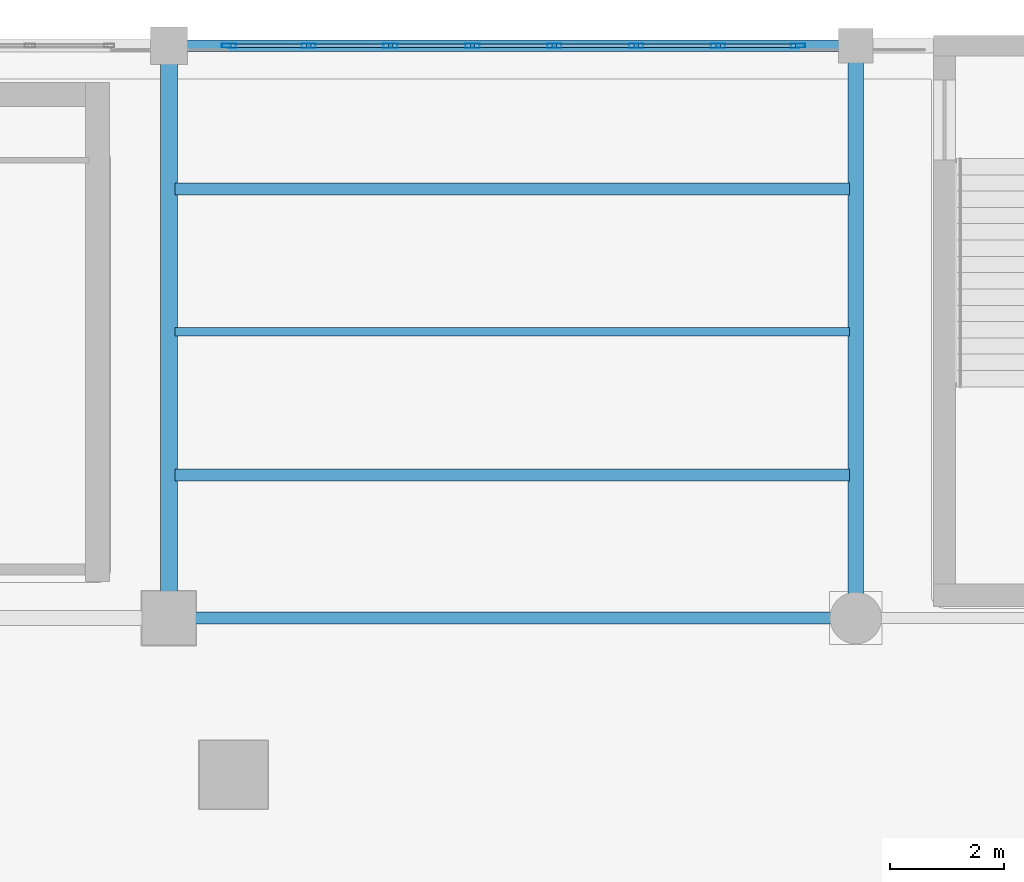
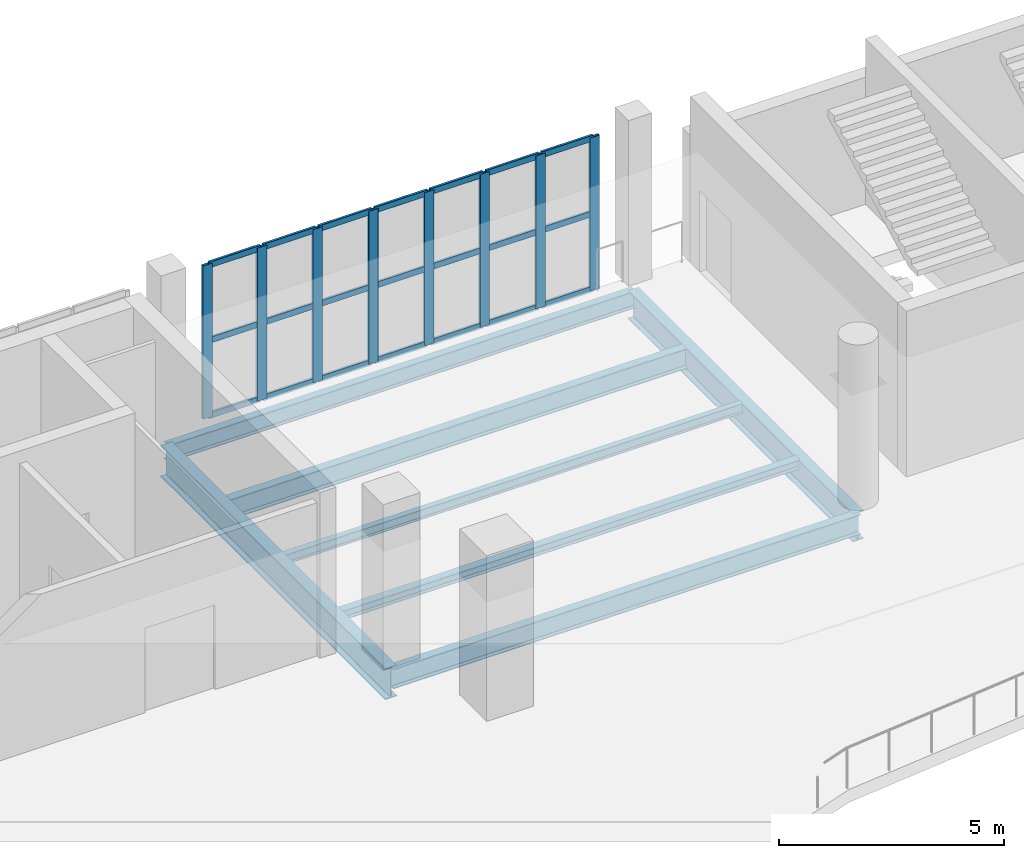
# One storey, part 29 of 90: 29 members, 7 beams, 1 element without a shape of its own.
"""IFC4 building model written with IfcOpenShell, lengths in metres."""

from ifc_helpers import new_model, si_unit, direction, frame, origin, origin_2d, place, context, subcontext, project, spatial, hollow_rectangle, i_section, extrude, material, layer, layer_set, material_profile, profile_set, type_object, element, aggregate, save


model = new_model("IFC4")

# Units and contexts
model_context = context("Model", 3, precision=1e-05, world=origin(), true_north=direction((0.0, 1.0)))
body_context = subcontext(model_context, "Body", "Model", "MODEL_VIEW")
ifc_project = project(units=[si_unit("LENGTHUNIT", "METRE"), si_unit("AREAUNIT", "SQUARE_METRE"), si_unit("VOLUMEUNIT", "CUBIC_METRE"), si_unit("PLANEANGLEUNIT", "RADIAN"), si_unit("MASSUNIT", "GRAM", prefix="KILO")], contexts=[model_context])

# Site, building, storey
site_placement = place(None, origin())
site = spatial("IfcSite", under=ifc_project, at=site_placement, CompositionType="ELEMENT")
building_placement = place(site_placement, origin())
building = spatial("IfcBuilding", under=site, at=building_placement, Name="Brinegate Civic Arena", CompositionType="ELEMENT")
storey_placement = place(building_placement, frame((0.0, 0.0, 14.699951171875)))
storey = spatial("IfcBuildingStorey", under=building, at=storey_placement, Name="L03", CompositionType="ELEMENT", Elevation=14.699951171875)

# Curtain wall, members
ifc_material_1 = material(Name="Marine grade aluminium", Category="aluminium")
ifc_layer = layer(ifc_material_1, 0.235107421875, Name="Marine grade aluminium")
ifc_layer_set = layer_set([ifc_layer], Name="Marine grade aluminium")
curtain_wall_type = type_object("IfcCurtainWallType", Name="CW-PORTAL-NORTH-01", PredefinedType="USERDEFINED", material=ifc_layer_set)
curtain_wall_placement = place(storey_placement, origin())
curtain_wall = element("IfcCurtainWall", 1, at=curtain_wall_placement, inside=storey, type_object=curtain_wall_type, Name="Curtain Wall CWA-126", ObjectType="PORTAL CURTAIN WALL", PredefinedType="USERDEFINED")
ifc_material_profile_1 = material_profile(ifc_material_1, hollow_rectangle(XDim=0.074951171875, YDim=0.25, WallThickness=0.006103515625, InnerFilletRadius=0.00390625, OuterFilletRadius=0.008056640625, at=origin_2d()), Name="MUL75X250")
ifc_profile_set_1 = profile_set([ifc_material_profile_1], Name="Marine grade aluminium")
member_type_1 = type_object("IfcMemberType", Name="CW-MULLION-75X250", PredefinedType="MULLION", material=ifc_profile_set_1)
member_1_placement = place(storey_placement, frame((97.047607421875, 124.0, 0.0), z_axis=(0.0, 0.0, 1.0), x_axis=(0.0, 1.0, 0.0)))
member_1 = element("IfcMember", 2, at=member_1_placement, type_object=member_type_1, Name="CWA-126 mullion 1", PredefinedType="MULLION", context=body_context, shape_type="SweptSolid", body=[
    extrude(hollow_rectangle(XDim=0.074951171875, YDim=0.25, WallThickness=0.006103515625, InnerFilletRadius=0.00390625, OuterFilletRadius=0.008056640625, at=origin_2d()), origin(), (0.0, 0.0, 1.0), 4.16015625),
])
member_2_placement = place(storey_placement, frame((98.44091796875, 124.0, 0.0), z_axis=(0.0, 0.0, 1.0), x_axis=(0.0, 1.0, 0.0)))
member_2 = element("IfcMember", 3, at=member_2_placement, type_object=member_type_1, Name="CWA-126 mullion 2", PredefinedType="MULLION", context=body_context, shape_type="SweptSolid", body=[
    extrude(hollow_rectangle(XDim=0.074951171875, YDim=0.25, WallThickness=0.006103515625, InnerFilletRadius=0.00390625, OuterFilletRadius=0.008056640625, at=origin_2d()), origin(), (0.0, 0.0, 1.0), 4.16015625),
])
member_3_placement = place(storey_placement, frame((99.871826171875, 124.0, 0.0), z_axis=(0.0, 0.0, 1.0), x_axis=(0.0, 1.0, 0.0)))
member_3 = element("IfcMember", 4, at=member_3_placement, type_object=member_type_1, Name="CWA-126 mullion 3", PredefinedType="MULLION", context=body_context, shape_type="SweptSolid", body=[
    extrude(hollow_rectangle(XDim=0.074951171875, YDim=0.25, WallThickness=0.006103515625, InnerFilletRadius=0.00390625, OuterFilletRadius=0.008056640625, at=origin_2d()), origin(), (0.0, 0.0, 1.0), 4.16015625),
])
member_4_placement = place(storey_placement, frame((101.302490234375, 124.0, 0.0), z_axis=(0.0, 0.0, 1.0), x_axis=(0.0, 1.0, 0.0)))
member_4 = element("IfcMember", 5, at=member_4_placement, type_object=member_type_1, Name="CWA-126 mullion 4", PredefinedType="MULLION", context=body_context, shape_type="SweptSolid", body=[
    extrude(hollow_rectangle(XDim=0.074951171875, YDim=0.25, WallThickness=0.006103515625, InnerFilletRadius=0.00390625, OuterFilletRadius=0.008056640625, at=origin_2d()), origin(), (0.0, 0.0, 1.0), 4.16015625),
])
member_5_placement = place(storey_placement, frame((102.7333984375, 124.0, 0.0), z_axis=(0.0, 0.0, 1.0), x_axis=(0.0, 1.0, 0.0)))
member_5 = element("IfcMember", 6, at=member_5_placement, type_object=member_type_1, Name="CWA-126 mullion 5", PredefinedType="MULLION", context=body_context, shape_type="SweptSolid", body=[
    extrude(hollow_rectangle(XDim=0.074951171875, YDim=0.25, WallThickness=0.006103515625, InnerFilletRadius=0.00390625, OuterFilletRadius=0.008056640625, at=origin_2d()), origin(), (0.0, 0.0, 1.0), 4.16015625),
])
member_6_placement = place(storey_placement, frame((104.164306640625, 124.0, 0.0), z_axis=(0.0, 0.0, 1.0), x_axis=(0.0, 1.0, 0.0)))
member_6 = element("IfcMember", 7, at=member_6_placement, type_object=member_type_1, Name="CWA-126 mullion 6", PredefinedType="MULLION", context=body_context, shape_type="SweptSolid", body=[
    extrude(hollow_rectangle(XDim=0.074951171875, YDim=0.25, WallThickness=0.006103515625, InnerFilletRadius=0.00390625, OuterFilletRadius=0.008056640625, at=origin_2d()), origin(), (0.0, 0.0, 1.0), 4.16015625),
])
member_7_placement = place(storey_placement, frame((105.59521484375, 124.0, 0.0), z_axis=(0.0, 0.0, 1.0), x_axis=(0.0, 1.0, 0.0)))
member_7 = element("IfcMember", 8, at=member_7_placement, type_object=member_type_1, Name="CWA-126 mullion 7", PredefinedType="MULLION", context=body_context, shape_type="SweptSolid", body=[
    extrude(hollow_rectangle(XDim=0.074951171875, YDim=0.25, WallThickness=0.006103515625, InnerFilletRadius=0.00390625, OuterFilletRadius=0.008056640625, at=origin_2d()), origin(), (0.0, 0.0, 1.0), 4.16015625),
])
member_8_placement = place(storey_placement, frame((106.988525390625, 124.0, 0.0), z_axis=(0.0, 0.0, 1.0), x_axis=(0.0, 1.0, 0.0)))
member_8 = element("IfcMember", 9, at=member_8_placement, type_object=member_type_1, Name="CWA-126 mullion 8", PredefinedType="MULLION", context=body_context, shape_type="SweptSolid", body=[
    extrude(hollow_rectangle(XDim=0.074951171875, YDim=0.25, WallThickness=0.006103515625, InnerFilletRadius=0.00390625, OuterFilletRadius=0.008056640625, at=origin_2d()), origin(), (0.0, 0.0, 1.0), 4.16015625),
])
ifc_material_profile_2 = material_profile(ifc_material_1, hollow_rectangle(XDim=0.06494140625, YDim=0.1650390625, WallThickness=0.0048828125, InnerFilletRadius=0.00390625, OuterFilletRadius=0.008056640625, at=origin_2d()), Name="TRN65X165")
ifc_profile_set_2 = profile_set([ifc_material_profile_2], Name="Marine grade aluminium")
member_type_2 = type_object("IfcMemberType", Name="CW-TRANSOM-65X165", PredefinedType="USERDEFINED", material=ifc_profile_set_2)
member_9_placement = place(storey_placement, frame((97.0849609375, 124.0, 0.032470703125), z_axis=(1.0, 0.0, 0.0), x_axis=(0.0, 1.0, 0.0)))
member_9 = element("IfcMember", 10, at=member_9_placement, type_object=member_type_2, Name="CWA-126 transom 1.1", ObjectType="TRANSOM", PredefinedType="USERDEFINED", context=body_context, shape_type="SweptSolid", body=[
    extrude(hollow_rectangle(XDim=0.06494140625, YDim=0.1650390625, WallThickness=0.0048828125, InnerFilletRadius=0.00390625, OuterFilletRadius=0.008056640625, at=origin_2d()), origin(), (0.0, 0.0, 1.0), 1.318359375),
])
member_10_placement = place(storey_placement, frame((97.0849609375, 124.0, 2.080078125), z_axis=(1.0, 0.0, 0.0), x_axis=(0.0, 1.0, 0.0)))
member_10 = element("IfcMember", 11, at=member_10_placement, type_object=member_type_2, Name="CWA-126 transom 1.2", ObjectType="TRANSOM", PredefinedType="USERDEFINED", context=body_context, shape_type="SweptSolid", body=[
    extrude(hollow_rectangle(XDim=0.06494140625, YDim=0.1650390625, WallThickness=0.0048828125, InnerFilletRadius=0.00390625, OuterFilletRadius=0.008056640625, at=origin_2d()), origin(), (0.0, 0.0, 1.0), 1.318359375),
])
member_11_placement = place(storey_placement, frame((97.0849609375, 124.0, 4.12744140625), z_axis=(1.0, 0.0, 0.0), x_axis=(0.0, 1.0, 0.0)))
member_11 = element("IfcMember", 12, at=member_11_placement, type_object=member_type_2, Name="CWA-126 transom 1.3", ObjectType="TRANSOM", PredefinedType="USERDEFINED", context=body_context, shape_type="SweptSolid", body=[
    extrude(hollow_rectangle(XDim=0.06494140625, YDim=0.1650390625, WallThickness=0.0048828125, InnerFilletRadius=0.00390625, OuterFilletRadius=0.008056640625, at=origin_2d()), origin(), (0.0, 0.0, 1.0), 1.318359375),
])
member_12_placement = place(storey_placement, frame((98.478271484375, 124.0, 0.032470703125), z_axis=(1.0, 0.0, 0.0), x_axis=(0.0, 1.0, 0.0)))
member_12 = element("IfcMember", 13, at=member_12_placement, type_object=member_type_2, Name="CWA-126 transom 2.1", ObjectType="TRANSOM", PredefinedType="USERDEFINED", context=body_context, shape_type="SweptSolid", body=[
    extrude(hollow_rectangle(XDim=0.06494140625, YDim=0.1650390625, WallThickness=0.0048828125, InnerFilletRadius=0.00390625, OuterFilletRadius=0.008056640625, at=origin_2d()), origin(), (0.0, 0.0, 1.0), 1.35595703125),
])
member_13_placement = place(storey_placement, frame((98.478271484375, 124.0, 2.080078125), z_axis=(1.0, 0.0, 0.0), x_axis=(0.0, 1.0, 0.0)))
member_13 = element("IfcMember", 14, at=member_13_placement, type_object=member_type_2, Name="CWA-126 transom 2.2", ObjectType="TRANSOM", PredefinedType="USERDEFINED", context=body_context, shape_type="SweptSolid", body=[
    extrude(hollow_rectangle(XDim=0.06494140625, YDim=0.1650390625, WallThickness=0.0048828125, InnerFilletRadius=0.00390625, OuterFilletRadius=0.008056640625, at=origin_2d()), origin(), (0.0, 0.0, 1.0), 1.35595703125),
])
member_14_placement = place(storey_placement, frame((98.478271484375, 124.0, 4.12744140625), z_axis=(1.0, 0.0, 0.0), x_axis=(0.0, 1.0, 0.0)))
member_14 = element("IfcMember", 15, at=member_14_placement, type_object=member_type_2, Name="CWA-126 transom 2.3", ObjectType="TRANSOM", PredefinedType="USERDEFINED", context=body_context, shape_type="SweptSolid", body=[
    extrude(hollow_rectangle(XDim=0.06494140625, YDim=0.1650390625, WallThickness=0.0048828125, InnerFilletRadius=0.00390625, OuterFilletRadius=0.008056640625, at=origin_2d()), origin(), (0.0, 0.0, 1.0), 1.35595703125),
])
member_15_placement = place(storey_placement, frame((99.9091796875, 124.0, 0.032470703125), z_axis=(1.0, 0.0, 0.0), x_axis=(0.0, 1.0, 0.0)))
member_15 = element("IfcMember", 16, at=member_15_placement, type_object=member_type_2, Name="CWA-126 transom 3.1", ObjectType="TRANSOM", PredefinedType="USERDEFINED", context=body_context, shape_type="SweptSolid", body=[
    extrude(hollow_rectangle(XDim=0.06494140625, YDim=0.1650390625, WallThickness=0.0048828125, InnerFilletRadius=0.00390625, OuterFilletRadius=0.008056640625, at=origin_2d()), origin(), (0.0, 0.0, 1.0), 1.35595703125),
])
member_16_placement = place(storey_placement, frame((99.9091796875, 124.0, 2.080078125), z_axis=(1.0, 0.0, 0.0), x_axis=(0.0, 1.0, 0.0)))
member_16 = element("IfcMember", 17, at=member_16_placement, type_object=member_type_2, Name="CWA-126 transom 3.2", ObjectType="TRANSOM", PredefinedType="USERDEFINED", context=body_context, shape_type="SweptSolid", body=[
    extrude(hollow_rectangle(XDim=0.06494140625, YDim=0.1650390625, WallThickness=0.0048828125, InnerFilletRadius=0.00390625, OuterFilletRadius=0.008056640625, at=origin_2d()), origin(), (0.0, 0.0, 1.0), 1.35595703125),
])
member_17_placement = place(storey_placement, frame((99.9091796875, 124.0, 4.12744140625), z_axis=(1.0, 0.0, 0.0), x_axis=(0.0, 1.0, 0.0)))
member_17 = element("IfcMember", 18, at=member_17_placement, type_object=member_type_2, Name="CWA-126 transom 3.3", ObjectType="TRANSOM", PredefinedType="USERDEFINED", context=body_context, shape_type="SweptSolid", body=[
    extrude(hollow_rectangle(XDim=0.06494140625, YDim=0.1650390625, WallThickness=0.0048828125, InnerFilletRadius=0.00390625, OuterFilletRadius=0.008056640625, at=origin_2d()), origin(), (0.0, 0.0, 1.0), 1.35595703125),
])
member_18_placement = place(storey_placement, frame((101.340087890625, 124.0, 0.032470703125), z_axis=(1.0, 0.0, 0.0), x_axis=(0.0, 1.0, 0.0)))
member_18 = element("IfcMember", 19, at=member_18_placement, type_object=member_type_2, Name="CWA-126 transom 4.1", ObjectType="TRANSOM", PredefinedType="USERDEFINED", context=body_context, shape_type="SweptSolid", body=[
    extrude(hollow_rectangle(XDim=0.06494140625, YDim=0.1650390625, WallThickness=0.0048828125, InnerFilletRadius=0.00390625, OuterFilletRadius=0.008056640625, at=origin_2d()), origin(), (0.0, 0.0, 1.0), 1.35595703125),
])
member_19_placement = place(storey_placement, frame((101.340087890625, 124.0, 2.080078125), z_axis=(1.0, 0.0, 0.0), x_axis=(0.0, 1.0, 0.0)))
member_19 = element("IfcMember", 20, at=member_19_placement, type_object=member_type_2, Name="CWA-126 transom 4.2", ObjectType="TRANSOM", PredefinedType="USERDEFINED", context=body_context, shape_type="SweptSolid", body=[
    extrude(hollow_rectangle(XDim=0.06494140625, YDim=0.1650390625, WallThickness=0.0048828125, InnerFilletRadius=0.00390625, OuterFilletRadius=0.008056640625, at=origin_2d()), origin(), (0.0, 0.0, 1.0), 1.35595703125),
])
member_20_placement = place(storey_placement, frame((101.340087890625, 124.0, 4.12744140625), z_axis=(1.0, 0.0, 0.0), x_axis=(0.0, 1.0, 0.0)))
member_20 = element("IfcMember", 21, at=member_20_placement, type_object=member_type_2, Name="CWA-126 transom 4.3", ObjectType="TRANSOM", PredefinedType="USERDEFINED", context=body_context, shape_type="SweptSolid", body=[
    extrude(hollow_rectangle(XDim=0.06494140625, YDim=0.1650390625, WallThickness=0.0048828125, InnerFilletRadius=0.00390625, OuterFilletRadius=0.008056640625, at=origin_2d()), origin(), (0.0, 0.0, 1.0), 1.35595703125),
])
member_21_placement = place(storey_placement, frame((102.77099609375, 124.0, 0.032470703125), z_axis=(1.0, 0.0, 0.0), x_axis=(0.0, 1.0, 0.0)))
member_21 = element("IfcMember", 22, at=member_21_placement, type_object=member_type_2, Name="CWA-126 transom 5.1", ObjectType="TRANSOM", PredefinedType="USERDEFINED", context=body_context, shape_type="SweptSolid", body=[
    extrude(hollow_rectangle(XDim=0.06494140625, YDim=0.1650390625, WallThickness=0.0048828125, InnerFilletRadius=0.00390625, OuterFilletRadius=0.008056640625, at=origin_2d()), origin(), (0.0, 0.0, 1.0), 1.355712890625),
])
member_22_placement = place(storey_placement, frame((102.77099609375, 124.0, 2.080078125), z_axis=(1.0, 0.0, 0.0), x_axis=(0.0, 1.0, 0.0)))
member_22 = element("IfcMember", 23, at=member_22_placement, type_object=member_type_2, Name="CWA-126 transom 5.2", ObjectType="TRANSOM", PredefinedType="USERDEFINED", context=body_context, shape_type="SweptSolid", body=[
    extrude(hollow_rectangle(XDim=0.06494140625, YDim=0.1650390625, WallThickness=0.0048828125, InnerFilletRadius=0.00390625, OuterFilletRadius=0.008056640625, at=origin_2d()), origin(), (0.0, 0.0, 1.0), 1.355712890625),
])
member_23_placement = place(storey_placement, frame((102.77099609375, 124.0, 4.12744140625), z_axis=(1.0, 0.0, 0.0), x_axis=(0.0, 1.0, 0.0)))
member_23 = element("IfcMember", 24, at=member_23_placement, type_object=member_type_2, Name="CWA-126 transom 5.3", ObjectType="TRANSOM", PredefinedType="USERDEFINED", context=body_context, shape_type="SweptSolid", body=[
    extrude(hollow_rectangle(XDim=0.06494140625, YDim=0.1650390625, WallThickness=0.0048828125, InnerFilletRadius=0.00390625, OuterFilletRadius=0.008056640625, at=origin_2d()), origin(), (0.0, 0.0, 1.0), 1.355712890625),
])
member_24_placement = place(storey_placement, frame((104.201904296875, 124.0, 0.032470703125), z_axis=(1.0, 0.0, 0.0), x_axis=(0.0, 1.0, 0.0)))
member_24 = element("IfcMember", 25, at=member_24_placement, type_object=member_type_2, Name="CWA-126 transom 6.1", ObjectType="TRANSOM", PredefinedType="USERDEFINED", context=body_context, shape_type="SweptSolid", body=[
    extrude(hollow_rectangle(XDim=0.06494140625, YDim=0.1650390625, WallThickness=0.0048828125, InnerFilletRadius=0.00390625, OuterFilletRadius=0.008056640625, at=origin_2d()), origin(), (0.0, 0.0, 1.0), 1.355712890625),
])
member_25_placement = place(storey_placement, frame((104.201904296875, 124.0, 2.080078125), z_axis=(1.0, 0.0, 0.0), x_axis=(0.0, 1.0, 0.0)))
member_25 = element("IfcMember", 26, at=member_25_placement, type_object=member_type_2, Name="CWA-126 transom 6.2", ObjectType="TRANSOM", PredefinedType="USERDEFINED", context=body_context, shape_type="SweptSolid", body=[
    extrude(hollow_rectangle(XDim=0.06494140625, YDim=0.1650390625, WallThickness=0.0048828125, InnerFilletRadius=0.00390625, OuterFilletRadius=0.008056640625, at=origin_2d()), origin(), (0.0, 0.0, 1.0), 1.355712890625),
])
member_26_placement = place(storey_placement, frame((104.201904296875, 124.0, 4.12744140625), z_axis=(1.0, 0.0, 0.0), x_axis=(0.0, 1.0, 0.0)))
member_26 = element("IfcMember", 27, at=member_26_placement, type_object=member_type_2, Name="CWA-126 transom 6.3", ObjectType="TRANSOM", PredefinedType="USERDEFINED", context=body_context, shape_type="SweptSolid", body=[
    extrude(hollow_rectangle(XDim=0.06494140625, YDim=0.1650390625, WallThickness=0.0048828125, InnerFilletRadius=0.00390625, OuterFilletRadius=0.008056640625, at=origin_2d()), origin(), (0.0, 0.0, 1.0), 1.355712890625),
])
member_27_placement = place(storey_placement, frame((105.632568359375, 124.0, 0.032470703125), z_axis=(1.0, 0.0, 0.0), x_axis=(0.0, 1.0, 0.0)))
member_27 = element("IfcMember", 28, at=member_27_placement, type_object=member_type_2, Name="CWA-126 transom 7.1", ObjectType="TRANSOM", PredefinedType="USERDEFINED", context=body_context, shape_type="SweptSolid", body=[
    extrude(hollow_rectangle(XDim=0.06494140625, YDim=0.1650390625, WallThickness=0.0048828125, InnerFilletRadius=0.00390625, OuterFilletRadius=0.008056640625, at=origin_2d()), origin(), (0.0, 0.0, 1.0), 1.318359375),
])
member_28_placement = place(storey_placement, frame((105.632568359375, 124.0, 2.080078125), z_axis=(1.0, 0.0, 0.0), x_axis=(0.0, 1.0, 0.0)))
member_28 = element("IfcMember", 29, at=member_28_placement, type_object=member_type_2, Name="CWA-126 transom 7.2", ObjectType="TRANSOM", PredefinedType="USERDEFINED", context=body_context, shape_type="SweptSolid", body=[
    extrude(hollow_rectangle(XDim=0.06494140625, YDim=0.1650390625, WallThickness=0.0048828125, InnerFilletRadius=0.00390625, OuterFilletRadius=0.008056640625, at=origin_2d()), origin(), (0.0, 0.0, 1.0), 1.318359375),
])
member_29_placement = place(storey_placement, frame((105.632568359375, 124.0, 4.12744140625), z_axis=(1.0, 0.0, 0.0), x_axis=(0.0, 1.0, 0.0)))
member_29 = element("IfcMember", 30, at=member_29_placement, type_object=member_type_2, Name="CWA-126 transom 7.3", ObjectType="TRANSOM", PredefinedType="USERDEFINED", context=body_context, shape_type="SweptSolid", body=[
    extrude(hollow_rectangle(XDim=0.06494140625, YDim=0.1650390625, WallThickness=0.0048828125, InnerFilletRadius=0.00390625, OuterFilletRadius=0.008056640625, at=origin_2d()), origin(), (0.0, 0.0, 1.0), 1.318359375),
])
aggregate(curtain_wall, [member_1, member_2, member_3, member_4, member_5, member_6, member_7, member_8, member_9, member_10, member_11, member_12, member_13, member_14, member_15, member_16, member_17, member_18, member_19, member_20, member_21, member_22, member_23, member_24, member_25, member_26, member_27, member_28, member_29])

# Beams
ifc_material_2 = material(Name="Steel S355", Category="steel")
ifc_material_profile_3 = material_profile(ifc_material_2, i_section(OverallWidth=0.26806640625, OverallDepth=0.77001953125, WebThickness=0.01611328125, FlangeThickness=0.02490234375, FilletRadius=0.02001953125, at=origin_2d()), Name="W760X196")
ifc_profile_set_3 = profile_set([ifc_material_profile_3], Name="Steel S355")
beam_type_1 = type_object("IfcBeamType", Name="GIRDER-W760X196", PredefinedType="BEAM", material=ifc_profile_set_3)
beam_1_placement = place(storey_placement, frame((108.0, 114.0, -0.73486328125), z_axis=(0.0, 1.0, 0.0), x_axis=(-1.0, 0.0, 0.0)))
element("IfcBeam", 31, at=beam_1_placement, inside=storey, type_object=beam_type_1, Name="Floor Girder BM-L03-GY-09-11", PredefinedType="BEAM", context=body_context, shape_type="SweptSolid", body=[
    extrude(i_section(OverallWidth=0.26806640625, OverallDepth=0.77001953125, WebThickness=0.01611328125, FlangeThickness=0.02490234375, FilletRadius=0.02001953125, at=origin_2d()), origin(), (0.0, 0.0, 1.0), 10.0),
])
ifc_material_profile_4 = material_profile(ifc_material_2, i_section(OverallWidth=0.2939453125, OverallDepth=0.85107421875, WebThickness=0.01611328125, FlangeThickness=0.027099609375, FilletRadius=0.02197265625, at=origin_2d()), Name="W840X226")
ifc_profile_set_4 = profile_set([ifc_material_profile_4], Name="Steel S355")
beam_type_2 = type_object("IfcBeamType", Name="GIRDER-W840X226", PredefinedType="BEAM", material=ifc_profile_set_4)
beam_2_placement = place(storey_placement, frame((96.0, 114.0, -0.77490234375), z_axis=(0.0, 1.0, 0.0), x_axis=(-1.0, 0.0, 0.0)))
element("IfcBeam", 32, at=beam_2_placement, inside=storey, type_object=beam_type_2, Name="Floor Girder BM-L03-GY-08-11", PredefinedType="BEAM", context=body_context, shape_type="SweptSolid", body=[
    extrude(i_section(OverallWidth=0.2939453125, OverallDepth=0.85107421875, WebThickness=0.01611328125, FlangeThickness=0.027099609375, FilletRadius=0.02197265625, at=origin_2d()), origin(), (0.0, 0.0, 1.0), 10.0),
])
ifc_material_profile_5 = material_profile(ifc_material_2, i_section(OverallWidth=0.14794921875, OverallDepth=0.26611328125, WebThickness=0.008056640625, FlangeThickness=0.012939453125, FilletRadius=0.011962890625, at=origin_2d()), Name="W250X45")
ifc_profile_set_5 = profile_set([ifc_material_profile_5], Name="Steel S355")
beam_type_3 = type_object("IfcBeamType", Name="JOIST-W250X45", PredefinedType="JOIST", material=ifc_profile_set_5)
beam_3_placement = place(storey_placement, frame((96.10595703125, 119.0, -0.48291015625), z_axis=(1.0, 0.0, 0.0), x_axis=(0.0, 1.0, 0.0)))
element("IfcBeam", 33, at=beam_3_placement, inside=storey, type_object=beam_type_3, Name="Secondary Joist BM-L03-JX-08-11-2", PredefinedType="JOIST", context=body_context, shape_type="SweptSolid", body=[
    extrude(i_section(OverallWidth=0.14794921875, OverallDepth=0.26611328125, WebThickness=0.008056640625, FlangeThickness=0.012939453125, FilletRadius=0.011962890625, at=origin_2d()), origin(), (0.0, 0.0, 1.0), 11.7880859375),
])
ifc_material_profile_6 = material_profile(ifc_material_2, i_section(OverallWidth=0.202880859375, OverallDepth=0.251953125, WebThickness=0.008056640625, FlangeThickness=0.013916015625, FilletRadius=0.011962890625, at=origin_2d()), Name="W250X58")
ifc_profile_set_6 = profile_set([ifc_material_profile_6], Name="Steel S355")
beam_type_4 = type_object("IfcBeamType", Name="JOIST-W250X58", PredefinedType="JOIST", material=ifc_profile_set_6)
beam_4_placement = place(storey_placement, frame((96.10595703125, 116.5, -0.475830078125), z_axis=(1.0, 0.0, 0.0), x_axis=(0.0, 1.0, 0.0)))
element("IfcBeam", 34, at=beam_4_placement, inside=storey, type_object=beam_type_4, Name="Secondary Joist BM-L03-JX-08-11-1", PredefinedType="JOIST", context=body_context, shape_type="SweptSolid", body=[
    extrude(i_section(OverallWidth=0.202880859375, OverallDepth=0.251953125, WebThickness=0.008056640625, FlangeThickness=0.013916015625, FilletRadius=0.011962890625, at=origin_2d()), origin(), (0.0, 0.0, 1.0), 11.7880859375),
])
ifc_material_profile_7 = material_profile(ifc_material_2, i_section(OverallWidth=0.2119140625, OverallDepth=0.5439453125, WebThickness=0.012939453125, FlangeThickness=0.02099609375, FilletRadius=0.01611328125, at=origin_2d()), Name="W530X123")
ifc_profile_set_7 = profile_set([ifc_material_profile_7], Name="Steel S355")
beam_type_5 = type_object("IfcBeamType", Name="JOIST-W530X123", PredefinedType="JOIST", material=ifc_profile_set_7)
beam_5_placement = place(storey_placement, frame((96.10595703125, 121.5, -0.6220703125), z_axis=(1.0, 0.0, 0.0), x_axis=(0.0, 1.0, 0.0)))
element("IfcBeam", 35, at=beam_5_placement, inside=storey, type_object=beam_type_5, Name="Secondary Joist BM-L03-JX-08-11-3", PredefinedType="JOIST", context=body_context, shape_type="SweptSolid", body=[
    extrude(i_section(OverallWidth=0.2119140625, OverallDepth=0.5439453125, WebThickness=0.012939453125, FlangeThickness=0.02099609375, FilletRadius=0.01611328125, at=origin_2d()), origin(), (0.0, 0.0, 1.0), 11.7880859375),
])
ifc_material_profile_8 = material_profile(ifc_material_2, i_section(OverallWidth=0.193115234375, OverallDepth=0.466064453125, WebThickness=0.010986328125, FlangeThickness=0.01904296875, FilletRadius=0.014892578125, at=origin_2d()), Name="W460X97")
ifc_profile_set_8 = profile_set([ifc_material_profile_8], Name="Steel S355")
beam_type_6 = type_object("IfcBeamType", Name="SPANDREL-W460X97", PredefinedType="SPANDREL", material=ifc_profile_set_8)
beam_6_placement = place(storey_placement, frame((96.0, 124.0, -0.5830078125), z_axis=(1.0, 0.0, 0.0), x_axis=(0.0, 1.0, 0.0)))
element("IfcBeam", 36, at=beam_6_placement, inside=storey, type_object=beam_type_6, Name="Floor Girder BM-L03-GX-08-12", PredefinedType="SPANDREL", context=body_context, shape_type="SweptSolid", body=[
    extrude(i_section(OverallWidth=0.193115234375, OverallDepth=0.466064453125, WebThickness=0.010986328125, FlangeThickness=0.01904296875, FilletRadius=0.014892578125, at=origin_2d()), origin(), (0.0, 0.0, 1.0), 12.0),
])
ifc_material_profile_9 = material_profile(ifc_material_2, i_section(OverallWidth=0.2119140625, OverallDepth=0.5439453125, WebThickness=0.012939453125, FlangeThickness=0.02099609375, FilletRadius=0.01611328125, at=origin_2d()), Name="W530X123")
ifc_profile_set_9 = profile_set([ifc_material_profile_9], Name="Steel S355")
beam_type_7 = type_object("IfcBeamType", Name="SPANDREL-W530X123", PredefinedType="SPANDREL", material=ifc_profile_set_9)
beam_7_placement = place(storey_placement, frame((96.0, 114.0, -0.6220703125), z_axis=(1.0, 0.0, 0.0), x_axis=(0.0, 1.0, 0.0)))
element("IfcBeam", 37, at=beam_7_placement, inside=storey, type_object=beam_type_7, Name="Floor Girder BM-L03-GX-08-11", PredefinedType="SPANDREL", context=body_context, shape_type="SweptSolid", body=[
    extrude(i_section(OverallWidth=0.2119140625, OverallDepth=0.5439453125, WebThickness=0.012939453125, FlangeThickness=0.02099609375, FilletRadius=0.01611328125, at=origin_2d()), origin(), (0.0, 0.0, 1.0), 12.0),
])

save(model, "model.ifc")
